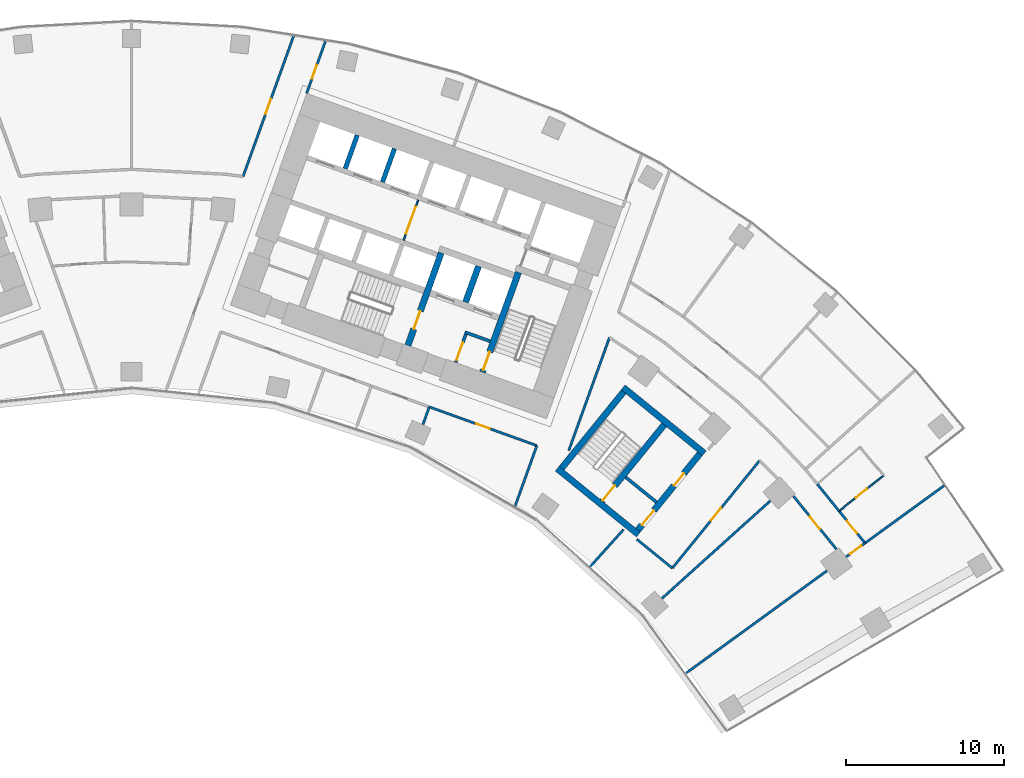
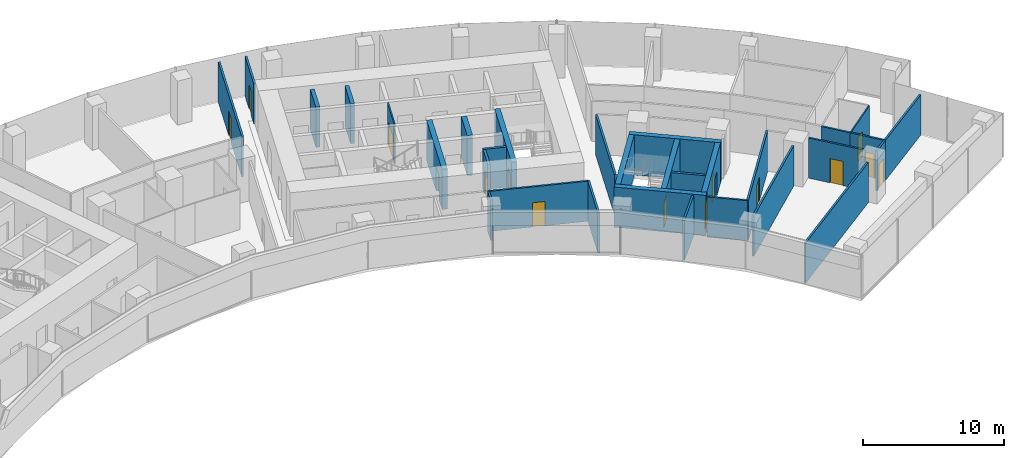
# One storey, part 15 of 19: 31 walls, 15 doors, 15 openings.
"""IFC4 building model written with IfcOpenShell, lengths in metres."""

from ifc_helpers import new_model, si_unit, direction, frame, frame_2d, origin, place, context, subcontext, project, spatial, rectangle, extrude, material, layer, layer_set, type_object, element, fill, save


model = new_model("IFC4")

# Units and contexts
model_context = context("Model", 3, precision=1e-05, world=origin(), true_north=direction((0.0, 1.0)))
body_context = subcontext(model_context, "Body", "Model", "MODEL_VIEW")
ifc_project = project(units=[si_unit("LENGTHUNIT", "METRE"), si_unit("AREAUNIT", "SQUARE_METRE"), si_unit("VOLUMEUNIT", "CUBIC_METRE"), si_unit("PLANEANGLEUNIT", "RADIAN"), si_unit("MASSUNIT", "GRAM", prefix="KILO")], contexts=[model_context])

# Site, building, storey
site_placement = place(None, origin())
site = spatial("IfcSite", under=ifc_project, at=site_placement, CompositionType="ELEMENT")
building_placement = place(site_placement, origin())
building = spatial("IfcBuilding", under=site, at=building_placement, Name="Stone Belt Terrace Tower", CompositionType="ELEMENT")
storey_placement = place(building_placement, frame((0.0, 0.0, 128.800048828125)))
storey = spatial("IfcBuildingStorey", under=building, at=storey_placement, Name="L31", CompositionType="ELEMENT", Elevation=128.800048828125)

# Wall, opening, door
ifc_material_1 = material(Name="Plasterboard partition")
ifc_layer_1 = layer(ifc_material_1, 0.10009765625)
ifc_layer_set_1 = layer_set([ifc_layer_1], Name="Core partition 100")
wall_type_1 = type_object("IfcWallType", Name="Core partition 100", PredefinedType="PARTITIONING", material=ifc_layer_set_1)
wall_1_placement = place(storey_placement, frame((17.17724609375, 52.749755859375, 0.0), z_axis=(0.0, 0.0, 1.0), x_axis=(0.338546555931, 0.940949642365, 0.0)))
wall_1 = element("IfcWall", 1, at=wall_1_placement, inside=storey, type_object=wall_type_1, Name="Core B wall", PredefinedType="PARTITIONING", context=body_context, shape_type="SweptSolid", body=[
    extrude(rectangle(XDim=2.699951171875, YDim=0.10009765625, at=frame_2d((1.35009765625, 0.0))), origin(), (0.0, 0.0, 1.0), 3.47998046875),
])
opening_1_placement = place(wall_1_placement, frame((0.449951171875, 0.0, 0.0)))
opening_1 = element("IfcOpeningElement", 2, at=opening_1_placement, cuts=wall_1, Name="Opening L31-C14", PredefinedType="OPENING", context=body_context, shape_type="SweptSolid", body=[
    extrude(rectangle(XDim=1.800048828125, YDim=2.10009765625, at=frame_2d((0.89990234375, 1.050048828125))), frame((0.0, 0.06005859375, 0.0), z_axis=(0.0, -1.0, 0.0), x_axis=(1.0, 0.0, 0.0)), (0.0, 0.0, 1.0), 0.1201171875),
])
ifc_material_2 = material(Name="Glazed aluminium door leaf", Category="aluminium")
door_type_1 = type_object("IfcDoorType", Name="Lift lobby entrance door 1800", OperationType="DOUBLE_DOOR_SINGLE_SWING", PredefinedType="DOOR", material=ifc_material_2)
door_1_placement = place(opening_1_placement, origin())
door_1 = element("IfcDoor", 3, at=door_1_placement, inside=storey, type_object=door_type_1, Name="Lift lobby double door core B", OperationType="DOUBLE_DOOR_SINGLE_SWING", OverallHeight=2.10009765625, OverallWidth=1.800048828125, PredefinedType="DOOR", context=body_context, shape_type="SweptSolid", body=[
    extrude(rectangle(XDim=1.800048828125, YDim=2.10009765625, at=frame_2d((0.89990234375, 1.050048828125))), frame((0.0, 0.02490234375, 0.0), z_axis=(0.0, -1.0, 0.0), x_axis=(1.0, 0.0, 0.0)), (0.0, 0.0, 1.0), 0.050048828125),
])
fill(opening_1, door_1)

# Walls
ifc_material_3 = material(Name="Concrete B80", Category="concrete")
ifc_layer_2 = layer(ifc_material_3, 0.39990234375)
ifc_layer_set_2 = layer_set([ifc_layer_2], Name="Fire-fighting lift shaft wall 400")
wall_type_2 = type_object("IfcWallType", Name="Fire-fighting lift shaft wall 400", PredefinedType="SHEAR", material=ifc_layer_set_2)
wall_2_placement = place(storey_placement, frame((21.0859375, 48.845458984375, 0.0), z_axis=(0.0, 0.0, 1.0), x_axis=(0.338629416206, 0.940919825745, 0.0)))
element("IfcWall", 4, at=wall_2_placement, inside=storey, type_object=wall_type_2, Name="Core B wall", PredefinedType="SHEAR", context=body_context, shape_type="SweptSolid", body=[
    extrude(rectangle(XDim=2.400146484375, YDim=0.39990234375, at=frame_2d((1.2001953125, 0.0))), origin(), (0.0, 0.0, 1.0), 3.47998046875),
])
ifc_layer_3 = layer(ifc_material_3, 0.300048828125)
ifc_layer_set_3 = layer_set([ifc_layer_3], Name="Lift shaft wall 300")
wall_type_3 = type_object("IfcWallType", Name="Lift shaft wall 300", PredefinedType="SHEAR", material=ifc_layer_set_3)
wall_3_placement = place(storey_placement, frame((15.8408203125, 56.419189453125, 0.0), z_axis=(0.0, 0.0, 1.0), x_axis=(0.338569601369, 0.940941350472, 0.0)))
element("IfcWall", 5, at=wall_3_placement, inside=storey, type_object=wall_type_3, Name="Core B wall", PredefinedType="SHEAR", context=body_context, shape_type="SweptSolid", body=[
    extrude(rectangle(XDim=2.249755859375, YDim=0.300048828125, at=frame_2d((1.125, 0.0))), origin(), (0.0, 0.0, 1.0), 3.47998046875),
])
wall_4_placement = place(storey_placement, frame((13.48828125, 57.265625, 0.0), z_axis=(0.0, 0.0, 1.0), x_axis=(0.338631098537, 0.940919220286, 0.0)))
element("IfcWall", 6, at=wall_4_placement, inside=storey, type_object=wall_type_3, Name="Core B wall", PredefinedType="SHEAR", context=body_context, shape_type="SweptSolid", body=[
    extrude(rectangle(XDim=2.250244140625, YDim=0.300048828125, at=frame_2d((1.125, 0.0))), origin(), (0.0, 0.0, 1.0), 3.47998046875),
])

# Wall, opening, door
ifc_material_4 = material(Name="Gypsum board partition")
ifc_layer_4 = layer(ifc_material_4, 0.10009765625)
ifc_layer_set_4 = layer_set([ifc_layer_4], Name="PARTITION 100")
wall_type_4 = type_object("IfcWallType", Name="PARTITION 100", PredefinedType="PARTITIONING", material=ifc_layer_set_4)
wall_5_placement = place(storey_placement, frame((44.657958984375, 35.658935546875, 0.0), z_axis=(0.0, 0.0, 1.0), x_axis=(0.781477418813, 0.623933525213, 0.0)))
wall_5 = element("IfcWall", 7, at=wall_5_placement, inside=storey, type_object=wall_type_4, Name="L31/wall/i074", PredefinedType="PARTITIONING", context=body_context, shape_type="SweptSolid", body=[
    extrude(rectangle(XDim=3.598388671875, YDim=0.10009765625, at=frame_2d((1.79931640625, 0.0))), origin(), (0.0, 0.0, 1.0), 3.47998046875),
])
opening_2_placement = place(wall_5_placement, frame((1.34912109375, 0.0, 0.0)))
opening_2 = element("IfcOpeningElement", 8, at=opening_2_placement, cuts=wall_5, Name="Opening D-B5-25", PredefinedType="OPENING", context=body_context, shape_type="SweptSolid", body=[
    extrude(rectangle(XDim=0.89990234375, YDim=2.10009765625, at=frame_2d((0.449951171875, 1.050048828125))), frame((0.0, 0.06005859375, 0.0), z_axis=(0.0, -1.0, 0.0), x_axis=(1.0, 0.0, 0.0)), (0.0, 0.0, 1.0), 0.1201171875),
])
ifc_material_5 = material(Name="Timber door leaf", Category="wood")
door_type_2 = type_object("IfcDoorType", Name="OFFICE DOOR 900 X 2100", OperationType="NOTDEFINED", PredefinedType="DOOR", material=ifc_material_5)
door_2_placement = place(opening_2_placement, origin())
door_2 = element("IfcDoor", 9, at=door_2_placement, inside=storey, type_object=door_type_2, Name="L31/door/i25", OperationType="SINGLE_SWING_RIGHT", OverallHeight=2.10009765625, OverallWidth=0.89990234375, PredefinedType="DOOR", context=body_context, shape_type="SweptSolid", body=[
    extrude(rectangle(XDim=0.89990234375, YDim=2.10009765625, at=frame_2d((0.449951171875, 1.050048828125))), frame((0.0, 0.02490234375, 0.0), z_axis=(0.0, -1.0, 0.0), x_axis=(1.0, 0.0, 0.0)), (0.0, 0.0, 1.0), 0.050048828125),
])
fill(opening_2, door_2)

ifc_layer_5 = layer(ifc_material_4, 0.14990234375)
ifc_layer_set_5 = layer_set([ifc_layer_5], Name="PARTITION 150 EI 60")
wall_type_5 = type_object("IfcWallType", Name="PARTITION 150 EI 60", PredefinedType="PARTITIONING", material=ifc_layer_set_5)
wall_6_placement = place(storey_placement, frame((12.23486328125, 65.297119140625, 0.0), z_axis=(0.0, 0.0, 1.0), x_axis=(-0.338853532575, -0.94083913793, 0.0)))
wall_6 = element("IfcWall", 10, at=wall_6_placement, inside=storey, type_object=wall_type_5, Name="L31/wall/i019", PredefinedType="PARTITIONING", context=body_context, shape_type="SweptSolid", body=[
    extrude(rectangle(XDim=3.482177734375, YDim=0.14990234375, at=frame_2d((1.7412109375, 0.0))), origin(), (0.0, 0.0, 1.0), 3.47998046875),
])
opening_3_placement = place(wall_6_placement, frame((1.58837890625, 0.0, 0.0)))
opening_3 = element("IfcOpeningElement", 11, at=opening_3_placement, cuts=wall_6, Name="Opening D-B5-10", PredefinedType="OPENING", context=body_context, shape_type="SweptSolid", body=[
    extrude(rectangle(XDim=0.89990234375, YDim=2.10009765625, at=frame_2d((0.449951171875, 1.050048828125))), frame((0.0, 0.0849609375, 0.0), z_axis=(0.0, -1.0, 0.0), x_axis=(1.0, 0.0, 0.0)), (0.0, 0.0, 1.0), 0.169921875),
])
door_3_placement = place(opening_3_placement, origin())
door_3 = element("IfcDoor", 12, at=door_3_placement, inside=storey, type_object=door_type_2, Name="L31/door/i10", OperationType="SINGLE_SWING_RIGHT", OverallHeight=2.10009765625, OverallWidth=0.89990234375, PredefinedType="DOOR", context=body_context, shape_type="SweptSolid", body=[
    extrude(rectangle(XDim=0.89990234375, YDim=2.10009765625, at=frame_2d((0.449951171875, 1.050048828125))), frame((0.0, 0.02490234375, 0.0), z_axis=(0.0, -1.0, 0.0), x_axis=(1.0, 0.0, 0.0)), (0.0, 0.0, 1.0), 0.050048828125),
])
fill(opening_3, door_3)

wall_7_placement = place(storey_placement, frame((7.0390625, 56.76708984375, 0.0), z_axis=(0.0, 0.0, 1.0), x_axis=(0.338637655092, 0.940916860596, 0.0)))
wall_7 = element("IfcWall", 13, at=wall_7_placement, inside=storey, type_object=wall_type_5, Name="L31/wall/i021", PredefinedType="PARTITIONING", context=body_context, shape_type="SweptSolid", body=[
    extrude(rectangle(XDim=9.40478515625, YDim=0.14990234375, at=frame_2d((4.702392578125, 0.0))), origin(), (0.0, 0.0, 1.0), 3.47998046875),
])
opening_4_placement = place(wall_7_placement, frame((4.202392578125, 0.0, 0.0)))
opening_4 = element("IfcOpeningElement", 14, at=opening_4_placement, cuts=wall_7, Name="Opening D-B5-30", PredefinedType="OPENING", context=body_context, shape_type="SweptSolid", body=[
    extrude(rectangle(XDim=1.0, YDim=2.10009765625, at=frame_2d((0.5, 1.050048828125))), frame((0.0, 0.0849609375, 0.0), z_axis=(0.0, -1.0, 0.0), x_axis=(1.0, 0.0, 0.0)), (0.0, 0.0, 1.0), 0.169921875),
])
ifc_material_6 = material(Name="Timber fire door leaf", Category="wood")
door_type_3 = type_object("IfcDoorType", Name="TENANCY ENTRANCE DOOR 1000 X 2100", OperationType="NOTDEFINED", PredefinedType="DOOR", material=ifc_material_6)
door_4_placement = place(opening_4_placement, origin())
door_4 = element("IfcDoor", 15, at=door_4_placement, inside=storey, type_object=door_type_3, Name="L31/door/i30", OperationType="SINGLE_SWING_RIGHT", OverallHeight=2.10009765625, OverallWidth=1.0, PredefinedType="DOOR", context=body_context, shape_type="SweptSolid", body=[
    extrude(rectangle(XDim=1.0, YDim=2.10009765625, at=frame_2d((0.5, 1.050048828125))), frame((0.0, 0.02490234375, 0.0), z_axis=(0.0, -1.0, 0.0), x_axis=(1.0, 0.0, 0.0)), (0.0, 0.0, 1.0), 0.050048828125),
])
fill(opening_4, door_4)

# Walls
wall_8_placement = place(storey_placement, frame((24.21240234375, 35.975341796875, 0.0), z_axis=(0.0, 0.0, 1.0), x_axis=(0.338542603355, 0.940951064463, 0.0)))
element("IfcWall", 16, at=wall_8_placement, inside=storey, type_object=wall_type_5, Name="L31/wall/i022", PredefinedType="PARTITIONING", context=body_context, shape_type="SweptSolid", body=[
    extrude(rectangle(XDim=4.05712890625, YDim=0.14990234375, at=frame_2d((2.028564453125, 0.0))), origin(), (0.0, 0.0, 1.0), 3.47998046875),
])
wall_9_placement = place(storey_placement, frame((30.1669921875, 46.612060546875, 0.0), z_axis=(0.0, 0.0, 1.0), x_axis=(-0.338694393991, -0.940896438233, 0.0)))
element("IfcWall", 17, at=wall_9_placement, inside=storey, type_object=wall_type_5, Name="L31/wall/i024", PredefinedType="PARTITIONING", context=body_context, shape_type="SweptSolid", body=[
    extrude(rectangle(XDim=7.585205078125, YDim=0.14990234375, at=frame_2d((3.79248046875, 0.0))), origin(), (0.0, 0.0, 1.0), 3.47998046875),
])
wall_10_placement = place(storey_placement, frame((31.054931640625, 34.489990234375, 0.0), z_axis=(0.0, 0.0, 1.0), x_axis=(-0.669118910745, -0.743155356089, 0.0)))
element("IfcWall", 18, at=wall_10_placement, inside=storey, type_object=wall_type_5, Name="L31/wall/i025", PredefinedType="PARTITIONING", context=body_context, shape_type="SweptSolid", body=[
    extrude(rectangle(XDim=3.149169921875, YDim=0.14990234375, at=frame_2d((1.57470703125, 0.0))), origin(), (0.0, 0.0, 1.0), 3.47998046875),
])

# Wall, opening, door
wall_11_placement = place(storey_placement, frame((25.583984375, 39.787109375, 0.0), z_axis=(0.0, 0.0, 1.0), x_axis=(-0.940903787311, 0.338673977482, 0.0)))
wall_11 = element("IfcWall", 19, at=wall_11_placement, inside=storey, type_object=wall_type_5, Name="L31/wall/i031", PredefinedType="PARTITIONING", context=body_context, shape_type="SweptSolid", body=[
    extrude(rectangle(XDim=7.2216796875, YDim=0.14990234375, at=frame_2d((3.61083984375, 0.0))), origin(), (0.0, 0.0, 1.0), 3.47998046875),
])
opening_5_placement = place(wall_11_placement, frame((3.160888671875, 0.0, 0.0)))
opening_5 = element("IfcOpeningElement", 20, at=opening_5_placement, cuts=wall_11, Name="Opening D-B5-09", PredefinedType="OPENING", context=body_context, shape_type="SweptSolid", body=[
    extrude(rectangle(XDim=0.89990234375, YDim=2.10009765625, at=frame_2d((0.449951171875, 1.050048828125))), frame((0.0, 0.0849609375, 0.0), z_axis=(0.0, -1.0, 0.0), x_axis=(1.0, 0.0, 0.0)), (0.0, 0.0, 1.0), 0.169921875),
])
door_5_placement = place(opening_5_placement, origin())
door_5 = element("IfcDoor", 21, at=door_5_placement, inside=storey, type_object=door_type_2, Name="L31/door/i09", OperationType="SINGLE_SWING_RIGHT", OverallHeight=2.10009765625, OverallWidth=0.89990234375, PredefinedType="DOOR", context=body_context, shape_type="SweptSolid", body=[
    extrude(rectangle(XDim=0.89990234375, YDim=2.10009765625, at=frame_2d((0.449951171875, 1.050048828125))), frame((0.0, 0.02490234375, 0.0), z_axis=(0.0, -1.0, 0.0), x_axis=(1.0, 0.0, 0.0)), (0.0, 0.0, 1.0), 0.050048828125),
])
fill(opening_5, door_5)

# Wall
wall_12_placement = place(storey_placement, frame((18.7939453125, 42.22998046875, 0.0), z_axis=(0.0, 0.0, 1.0), x_axis=(-0.338675376893, -0.940903283598, 0.0)))
element("IfcWall", 22, at=wall_12_placement, inside=storey, type_object=wall_type_5, Name="L31/wall/i034", PredefinedType="PARTITIONING", context=body_context, shape_type="SweptSolid", body=[
    extrude(rectangle(XDim=1.176513671875, YDim=0.14990234375, at=frame_2d((0.58837890625, 0.0))), origin(), (0.0, 0.0, 1.0), 3.47998046875),
])

# Wall, opening, door
wall_13_placement = place(storey_placement, frame((46.301025390625, 33.638916015625, 0.0), z_axis=(0.0, 0.0, 1.0), x_axis=(-0.809407972322, -0.587246740597, 0.0)))
wall_13 = element("IfcWall", 23, at=wall_13_placement, inside=storey, type_object=wall_type_5, Name="L31/wall/i044", PredefinedType="PARTITIONING", context=body_context, shape_type="SweptSolid", body=[
    extrude(rectangle(XDim=1.475830078125, YDim=0.14990234375, at=frame_2d((0.73779296875, 0.0))), origin(), (0.0, 0.0, 1.0), 3.47998046875),
])
opening_6_placement = place(wall_13_placement, frame((0.287841796875, 0.0, 0.0)))
opening_6 = element("IfcOpeningElement", 24, at=opening_6_placement, cuts=wall_13, Name="Opening D-B5-16", PredefinedType="OPENING", context=body_context, shape_type="SweptSolid", body=[
    extrude(rectangle(XDim=0.89990234375, YDim=2.10009765625, at=frame_2d((0.449951171875, 1.050048828125))), frame((0.0, 0.0849609375, 0.0), z_axis=(0.0, -1.0, 0.0), x_axis=(1.0, 0.0, 0.0)), (0.0, 0.0, 1.0), 0.169921875),
])
door_type_4 = type_object("IfcDoorType", Name="TENANCY ENTRANCE DOOR 900 X 2100", OperationType="NOTDEFINED", PredefinedType="DOOR", material=ifc_material_6)
door_6_placement = place(opening_6_placement, origin())
door_6 = element("IfcDoor", 25, at=door_6_placement, inside=storey, type_object=door_type_4, Name="L31/door/i16", OperationType="SINGLE_SWING_RIGHT", OverallHeight=2.10009765625, OverallWidth=0.89990234375, PredefinedType="DOOR", context=body_context, shape_type="SweptSolid", body=[
    extrude(rectangle(XDim=0.89990234375, YDim=2.10009765625, at=frame_2d((0.449951171875, 1.050048828125))), frame((0.0, 0.02490234375, 0.0), z_axis=(0.0, -1.0, 0.0), x_axis=(1.0, 0.0, 0.0)), (0.0, 0.0, 1.0), 0.050048828125),
])
fill(opening_6, door_6)

# Walls
wall_14_placement = place(storey_placement, frame((35.006103515625, 25.43310546875, 0.0), z_axis=(0.0, 0.0, 1.0), x_axis=(0.809031292707, 0.587765571823, 0.0)))
element("IfcWall", 26, at=wall_14_placement, inside=storey, type_object=wall_type_5, Name="L31/wall/i045", PredefinedType="PARTITIONING", context=body_context, shape_type="SweptSolid", body=[
    extrude(rectangle(XDim=10.975341796875, YDim=0.14990234375, at=frame_2d((5.48779296875, 0.0))), origin(), (0.0, 0.0, 1.0), 3.47998046875),
])
wall_15_placement = place(storey_placement, frame((46.291015625, 33.632080078125, 0.0), z_axis=(0.0, 0.0, 1.0), x_axis=(0.809007988274, 0.587797647927, 0.0)))
element("IfcWall", 27, at=wall_15_placement, inside=storey, type_object=wall_type_5, Name="L31/wall/i046", PredefinedType="PARTITIONING", context=body_context, shape_type="SweptSolid", body=[
    extrude(rectangle(XDim=6.171630859375, YDim=0.14990234375, at=frame_2d((3.0859375, 0.0))), origin(), (0.0, 0.0, 1.0), 3.47998046875),
])

# Wall, opening, door
wall_16_placement = place(storey_placement, frame((44.485107421875, 33.253662109375, 0.0), z_axis=(0.0, 0.0, 1.0), x_axis=(-0.629214542808, 0.777231663739, 0.0)))
wall_16 = element("IfcWall", 28, at=wall_16_placement, inside=storey, type_object=wall_type_5, Name="L31/wall/i053", PredefinedType="PARTITIONING", context=body_context, shape_type="SweptSolid", body=[
    extrude(rectangle(XDim=4.304931640625, YDim=0.14990234375, at=frame_2d((2.15234375, 0.0))), origin(), (0.0, 0.0, 1.0), 3.47998046875),
])
opening_7_placement = place(wall_16_placement, frame((1.652587890625, 0.0, 0.0)))
opening_7 = element("IfcOpeningElement", 29, at=opening_7_placement, cuts=wall_16, Name="Opening D-B5-19", PredefinedType="OPENING", context=body_context, shape_type="SweptSolid", body=[
    extrude(rectangle(XDim=1.0, YDim=2.10009765625, at=frame_2d((0.5, 1.050048828125))), frame((0.0, 0.0849609375, 0.0), z_axis=(0.0, -1.0, 0.0), x_axis=(1.0, 0.0, 0.0)), (0.0, 0.0, 1.0), 0.169921875),
])
door_7_placement = place(opening_7_placement, origin())
door_7 = element("IfcDoor", 30, at=door_7_placement, inside=storey, type_object=door_type_3, Name="L31/door/i19", OperationType="SINGLE_SWING_RIGHT", OverallHeight=2.10009765625, OverallWidth=1.0, PredefinedType="DOOR", context=body_context, shape_type="SweptSolid", body=[
    extrude(rectangle(XDim=1.0, YDim=2.10009765625, at=frame_2d((0.5, 1.050048828125))), frame((0.0, 0.02490234375, 0.0), z_axis=(0.0, -1.0, 0.0), x_axis=(1.0, 0.0, 0.0)), (0.0, 0.0, 1.0), 0.050048828125),
])
fill(opening_7, door_7)

wall_17_placement = place(storey_placement, frame((44.654052734375, 35.6630859375, 0.0), z_axis=(0.0, 0.0, 1.0), x_axis=(0.629397440797, -0.777083561477, 0.0)))
wall_17 = element("IfcWall", 31, at=wall_17_placement, inside=storey, type_object=wall_type_5, Name="L31/wall/i056", PredefinedType="PARTITIONING", context=body_context, shape_type="SweptSolid", body=[
    extrude(rectangle(XDim=2.608642578125, YDim=0.14990234375, at=frame_2d((1.30419921875, 0.0))), origin(), (0.0, 0.0, 1.0), 3.47998046875),
])
opening_8_placement = place(wall_17_placement, frame((0.80419921875, 0.0, 0.0)))
opening_8 = element("IfcOpeningElement", 32, at=opening_8_placement, cuts=wall_17, Name="Opening D-B5-24", PredefinedType="OPENING", context=body_context, shape_type="SweptSolid", body=[
    extrude(rectangle(XDim=1.0, YDim=2.10009765625, at=frame_2d((0.5, 1.050048828125))), frame((0.0, 0.0849609375, 0.0), z_axis=(0.0, -1.0, 0.0), x_axis=(1.0, 0.0, 0.0)), (0.0, 0.0, 1.0), 0.169921875),
])
door_8_placement = place(opening_8_placement, origin())
door_8 = element("IfcDoor", 33, at=door_8_placement, inside=storey, type_object=door_type_3, Name="L31/door/i24", OperationType="SINGLE_SWING_RIGHT", OverallHeight=2.10009765625, OverallWidth=1.0, PredefinedType="DOOR", context=body_context, shape_type="SweptSolid", body=[
    extrude(rectangle(XDim=1.0, YDim=2.10009765625, at=frame_2d((0.5, 1.050048828125))), frame((0.0, 0.02490234375, 0.0), z_axis=(0.0, -1.0, 0.0), x_axis=(1.0, 0.0, 0.0)), (0.0, 0.0, 1.0), 0.050048828125),
])
fill(opening_8, door_8)

# Wall
wall_18_placement = place(storey_placement, frame((43.27392578125, 37.366943359375, 0.0), z_axis=(0.0, 0.0, 1.0), x_axis=(0.629290634634, -0.777170056784, 0.0)))
element("IfcWall", 34, at=wall_18_placement, inside=storey, type_object=wall_type_5, Name="L31/wall/i057", PredefinedType="PARTITIONING", context=body_context, shape_type="SweptSolid", body=[
    extrude(rectangle(XDim=2.2041015625, YDim=0.14990234375, at=frame_2d((1.10205078125, 0.0))), origin(), (0.0, 0.0, 1.0), 3.47998046875),
])

# Wall, opening, door
wall_19_placement = place(storey_placement, frame((39.64599609375, 38.84912109375, 0.0), z_axis=(0.0, 0.0, 1.0), x_axis=(-0.630141823003, -0.776480059566, 0.0)))
wall_19 = element("IfcWall", 35, at=wall_19_placement, inside=storey, type_object=wall_type_5, Name="L31/wall/i059", PredefinedType="PARTITIONING", context=body_context, shape_type="SweptSolid", body=[
    extrude(rectangle(XDim=8.748779296875, YDim=0.14990234375, at=frame_2d((4.37451171875, 0.0))), origin(), (0.0, 0.0, 1.0), 3.47998046875),
])
opening_9_placement = place(wall_19_placement, frame((3.874267578125, 0.0, 0.0)))
opening_9 = element("IfcOpeningElement", 36, at=opening_9_placement, cuts=wall_19, Name="Opening D-B5-18", PredefinedType="OPENING", context=body_context, shape_type="SweptSolid", body=[
    extrude(rectangle(XDim=1.0, YDim=2.10009765625, at=frame_2d((0.5, 1.050048828125))), frame((0.0, 0.0849609375, 0.0), z_axis=(0.0, -1.0, 0.0), x_axis=(1.0, 0.0, 0.0)), (0.0, 0.0, 1.0), 0.169921875),
])
door_9_placement = place(opening_9_placement, origin())
door_9 = element("IfcDoor", 37, at=door_9_placement, inside=storey, type_object=door_type_3, Name="L31/door/i18", OperationType="SINGLE_SWING_RIGHT", OverallHeight=2.10009765625, OverallWidth=1.0, PredefinedType="DOOR", context=body_context, shape_type="SweptSolid", body=[
    extrude(rectangle(XDim=1.0, YDim=2.10009765625, at=frame_2d((0.5, 1.050048828125))), frame((0.0, 0.02490234375, 0.0), z_axis=(0.0, -1.0, 0.0), x_axis=(1.0, 0.0, 0.0)), (0.0, 0.0, 1.0), 0.050048828125),
])
fill(opening_9, door_9)

# Walls
wall_20_placement = place(storey_placement, frame((34.133056640625, 32.055908203125, 0.0), z_axis=(0.0, 0.0, 1.0), x_axis=(-0.776369956068, 0.630277471686, 0.0)))
element("IfcWall", 38, at=wall_20_placement, inside=storey, type_object=wall_type_5, Name="L31/wall/i060", PredefinedType="PARTITIONING", context=body_context, shape_type="SweptSolid", body=[
    extrude(rectangle(XDim=2.8876953125, YDim=0.14990234375, at=frame_2d((1.44384765625, 0.0))), origin(), (0.0, 0.0, 1.0), 3.47998046875),
])
wall_21_placement = place(storey_placement, frame((40.311767578125, 36.297119140625, 0.0), z_axis=(0.0, 0.0, 1.0), x_axis=(-0.74312513137, -0.669152478233, 0.0)))
element("IfcWall", 39, at=wall_21_placement, inside=storey, type_object=wall_type_5, Name="L31/wall/i061", PredefinedType="PARTITIONING", context=body_context, shape_type="SweptSolid", body=[
    extrude(rectangle(XDim=9.195068359375, YDim=0.14990234375, at=frame_2d((4.59765625, 0.0))), origin(), (0.0, 0.0, 1.0), 3.47998046875),
])
ifc_material_7 = material(Name="Concrete masonry block", Category="masonry")
ifc_layer_6 = layer(ifc_material_7, 0.199951171875)
ifc_layer_set_6 = layer_set([ifc_layer_6], Name="Rated lobby wall 200")
wall_type_6 = type_object("IfcWallType", Name="Rated lobby wall 200", PredefinedType="PARTITIONING", material=ifc_layer_set_6)
wall_22_placement = place(storey_placement, frame((22.640625, 46.373046875, 0.0), z_axis=(0.0, 0.0, 1.0), x_axis=(-0.940966110313, 0.338500781747, 0.0)))
element("IfcWall", 40, at=wall_22_placement, inside=storey, type_object=wall_type_6, Name="Core B wall", PredefinedType="PARTITIONING", context=body_context, shape_type="SweptSolid", body=[
    extrude(rectangle(XDim=1.699951171875, YDim=0.199951171875, at=frame_2d((0.85009765625, 0.0))), origin(), (0.0, 0.0, 1.0), 3.47998046875),
])

# Wall, opening, door
wall_23_placement = place(storey_placement, frame((20.4580078125, 45.032958984375, 0.0), z_axis=(0.0, 0.0, 1.0), x_axis=(0.338573865316, 0.940939816208, 0.0)))
wall_23 = element("IfcWall", 41, at=wall_23_placement, inside=storey, type_object=wall_type_6, Name="Core B wall", PredefinedType="PARTITIONING", context=body_context, shape_type="SweptSolid", body=[
    extrude(rectangle(XDim=1.900146484375, YDim=0.199951171875, at=frame_2d((0.9501953125, 0.0))), origin(), (0.0, 0.0, 1.0), 3.47998046875),
])
opening_10_placement = place(wall_23_placement, frame((0.14990234375, 0.0, 0.0)))
opening_10 = element("IfcOpeningElement", 42, at=opening_10_placement, cuts=wall_23, Name="Opening L31-C17", PredefinedType="OPENING", context=body_context, shape_type="SweptSolid", body=[
    extrude(rectangle(XDim=1.199951171875, YDim=2.10009765625, at=frame_2d((0.60009765625, 1.050048828125))), frame((0.0, 0.10986328125, 0.0), z_axis=(0.0, -1.0, 0.0), x_axis=(1.0, 0.0, 0.0)), (0.0, 0.0, 1.0), 0.219970703125),
])
ifc_material_8 = material(Name="Steel door leaf", Category="steel")
door_type_5 = type_object("IfcDoorType", Name="Stair door 1200", OperationType="SINGLE_SWING_LEFT", PredefinedType="DOOR", material=ifc_material_8)
door_10_placement = place(opening_10_placement, origin())
door_10 = element("IfcDoor", 43, at=door_10_placement, inside=storey, type_object=door_type_5, Name="Stair airlock door core B", OperationType="SINGLE_SWING_RIGHT", OverallHeight=2.10009765625, OverallWidth=1.199951171875, PredefinedType="DOOR", context=body_context, shape_type="SweptSolid", body=[
    extrude(rectangle(XDim=1.199951171875, YDim=2.10009765625, at=frame_2d((0.60009765625, 1.050048828125))), frame((0.0, 0.02490234375, 0.0), z_axis=(0.0, -1.0, 0.0), x_axis=(1.0, 0.0, 0.0)), (0.0, 0.0, 1.0), 0.050048828125),
])
fill(opening_10, door_10)

# Wall
wall_24_placement = place(storey_placement, frame((31.190673828125, 37.79296875, 0.0), z_axis=(0.0, 0.0, 1.0), x_axis=(0.776370830301, -0.630276394813, 0.0)))
element("IfcWall", 44, at=wall_24_placement, inside=storey, type_object=wall_type_6, Name="Exit stair ST3B wall", PredefinedType="PARTITIONING", context=body_context, shape_type="SweptSolid", body=[
    extrude(rectangle(XDim=2.5, YDim=0.199951171875, at=frame_2d((1.25, 0.0))), origin(), (0.0, 0.0, 1.0), 3.47998046875),
])

# Wall, opening, door
ifc_layer_7 = layer(ifc_material_3, 0.39990234375)
ifc_layer_set_7 = layer_set([ifc_layer_7], Name="Stair enclosure wall 400")
wall_type_7 = type_object("IfcWallType", Name="Stair enclosure wall 400", PredefinedType="SHEAR", material=ifc_layer_set_7)
wall_25_placement = place(storey_placement, frame((22.151611328125, 44.42333984375, 0.0), z_axis=(0.0, 0.0, 1.0), x_axis=(0.338625272931, 0.940921316866, 0.0)))
wall_25 = element("IfcWall", 45, at=wall_25_placement, inside=storey, type_object=wall_type_7, Name="Core B wall", PredefinedType="SHEAR", context=body_context, shape_type="SweptSolid", body=[
    extrude(rectangle(XDim=6.699951171875, YDim=0.39990234375, at=frame_2d((3.35009765625, 0.0))), origin(), (0.0, 0.0, 1.0), 3.47998046875),
])
opening_11_placement = place(wall_25_placement, frame((0.14990234375, 0.0, 0.0)))
opening_11 = element("IfcOpeningElement", 46, at=opening_11_placement, cuts=wall_25, Name="Opening L31-C16", PredefinedType="OPENING", context=body_context, shape_type="SweptSolid", body=[
    extrude(rectangle(XDim=1.199951171875, YDim=2.10009765625, at=frame_2d((0.60009765625, 1.050048828125))), frame((0.0, 0.2099609375, 0.0), z_axis=(0.0, -1.0, 0.0), x_axis=(1.0, 0.0, 0.0)), (0.0, 0.0, 1.0), 0.419921875),
])
door_11_placement = place(opening_11_placement, origin())
door_11 = element("IfcDoor", 47, at=door_11_placement, inside=storey, type_object=door_type_5, Name="Stair 1 door core B", OperationType="SINGLE_SWING_RIGHT", OverallHeight=2.10009765625, OverallWidth=1.199951171875, PredefinedType="DOOR", context=body_context, shape_type="SweptSolid", body=[
    extrude(rectangle(XDim=1.199951171875, YDim=2.10009765625, at=frame_2d((0.60009765625, 1.050048828125))), frame((0.0, 0.02490234375, 0.0), z_axis=(0.0, -1.0, 0.0), x_axis=(1.0, 0.0, 0.0)), (0.0, 0.0, 1.0), 0.050048828125),
])
fill(opening_11, door_11)

wall_26_placement = place(storey_placement, frame((17.447021484375, 46.116455078125, 0.0), z_axis=(0.0, 0.0, 1.0), x_axis=(0.33860791464, 0.940927563707, 0.0)))
wall_26 = element("IfcWall", 48, at=wall_26_placement, inside=storey, type_object=wall_type_7, Name="Core B wall", PredefinedType="SHEAR", context=body_context, shape_type="SweptSolid", body=[
    extrude(rectangle(XDim=6.199951171875, YDim=0.39990234375, at=frame_2d((3.10009765625, 0.0))), origin(), (0.0, 0.0, 1.0), 3.47998046875),
])
opening_12_placement = place(wall_26_placement, frame((1.10009765625, 0.0, 0.0)))
opening_12 = element("IfcOpeningElement", 49, at=opening_12_placement, cuts=wall_26, Name="Opening L31-C19", PredefinedType="OPENING", context=body_context, shape_type="SweptSolid", body=[
    extrude(rectangle(XDim=1.199951171875, YDim=2.10009765625, at=frame_2d((0.60009765625, 1.050048828125))), frame((0.0, 0.2099609375, 0.0), z_axis=(0.0, -1.0, 0.0), x_axis=(1.0, 0.0, 0.0)), (0.0, 0.0, 1.0), 0.419921875),
])
door_12_placement = place(opening_12_placement, origin())
door_12 = element("IfcDoor", 50, at=door_12_placement, inside=storey, type_object=door_type_5, Name="Stair 2 door core B", OperationType="SINGLE_SWING_RIGHT", OverallHeight=2.10009765625, OverallWidth=1.199951171875, PredefinedType="DOOR", context=body_context, shape_type="SweptSolid", body=[
    extrude(rectangle(XDim=1.199951171875, YDim=2.10009765625, at=frame_2d((0.60009765625, 1.050048828125))), frame((0.0, 0.02490234375, 0.0), z_axis=(0.0, -1.0, 0.0), x_axis=(1.0, 0.0, 0.0)), (0.0, 0.0, 1.0), 0.050048828125),
])
fill(opening_12, door_12)

# Walls
wall_27_placement = place(storey_placement, frame((26.868408203125, 38.3388671875, 0.0), z_axis=(0.0, 0.0, 1.0), x_axis=(0.776428452498, -0.630205409491, 0.0)))
element("IfcWall", 51, at=wall_27_placement, inside=storey, type_object=wall_type_7, Name="Exit stair ST3B wall", PredefinedType="SHEAR", context=body_context, shape_type="SweptSolid", body=[
    extrude(rectangle(XDim=6.60009765625, YDim=0.39990234375, at=frame_2d((3.300048828125, 0.0))), origin(), (0.0, 0.0, 1.0), 3.47998046875),
])
wall_28_placement = place(storey_placement, frame((31.02783203125, 43.46337890625, 0.0), z_axis=(0.0, 0.0, 1.0), x_axis=(0.776413760801, -0.630223509589, 0.0)))
element("IfcWall", 52, at=wall_28_placement, inside=storey, type_object=wall_type_7, Name="Exit stair ST3B wall", PredefinedType="SHEAR", context=body_context, shape_type="SweptSolid", body=[
    extrude(rectangle(XDim=6.599853515625, YDim=0.39990234375, at=frame_2d((3.2998046875, 0.0))), origin(), (0.0, 0.0, 1.0), 3.47998046875),
])
wall_29_placement = place(storey_placement, frame((27.149658203125, 38.3681640625, 0.0), z_axis=(0.0, 0.0, 1.0), x_axis=(0.630211551729, 0.776423466973, 0.0)))
element("IfcWall", 53, at=wall_29_placement, inside=storey, type_object=wall_type_7, Name="Exit stair ST3B wall", PredefinedType="SHEAR", context=body_context, shape_type="SweptSolid", body=[
    extrude(rectangle(XDim=6.199951171875, YDim=0.39990234375, at=frame_2d((3.10009765625, 0.0))), origin(), (0.0, 0.0, 1.0), 3.47998046875),
])

# Wall, openings, doors
wall_30_placement = place(storey_placement, frame((31.963623046875, 34.460693359375, 0.0), z_axis=(0.0, 0.0, 1.0), x_axis=(0.630192283849, 0.776439106033, 0.0)))
wall_30 = element("IfcWall", 54, at=wall_30_placement, inside=storey, type_object=wall_type_7, Name="Exit stair ST3B wall", PredefinedType="SHEAR", context=body_context, shape_type="SweptSolid", body=[
    extrude(rectangle(XDim=6.199951171875, YDim=0.39990234375, at=frame_2d((3.10009765625, 0.0))), origin(), (0.0, 0.0, 1.0), 3.47998046875),
])
opening_13_placement = place(wall_30_placement, frame((0.39990234375, 0.0, 0.0)))
opening_13 = element("IfcOpeningElement", 55, at=opening_13_placement, cuts=wall_30, Name="Opening L31-C27", PredefinedType="OPENING", context=body_context, shape_type="SweptSolid", body=[
    extrude(rectangle(XDim=1.199951171875, YDim=2.10009765625, at=frame_2d((0.60009765625, 1.050048828125))), frame((0.0, 0.2099609375, 0.0), z_axis=(0.0, -1.0, 0.0), x_axis=(1.0, 0.0, 0.0)), (0.0, 0.0, 1.0), 0.419921875),
])
opening_14_placement = place(wall_30_placement, frame((3.60009765625, 0.0, 0.0)))
opening_14 = element("IfcOpeningElement", 56, at=opening_14_placement, cuts=wall_30, Name="Opening L31-C28", PredefinedType="OPENING", context=body_context, shape_type="SweptSolid", body=[
    extrude(rectangle(XDim=1.0, YDim=2.10009765625, at=frame_2d((0.5, 1.050048828125))), frame((0.0, 0.2099609375, 0.0), z_axis=(0.0, -1.0, 0.0), x_axis=(1.0, 0.0, 0.0)), (0.0, 0.0, 1.0), 0.419921875),
])
door_type_6 = type_object("IfcDoorType", Name="Core room door 1000", OperationType="SINGLE_SWING_LEFT", PredefinedType="DOOR", material=ifc_material_5)
door_13_placement = place(opening_14_placement, origin())
door_13 = element("IfcDoor", 57, at=door_13_placement, inside=storey, type_object=door_type_6, Name="Door to stair pressurisation plant room ST3B", OperationType="SINGLE_SWING_LEFT", OverallHeight=2.10009765625, OverallWidth=1.0, PredefinedType="DOOR", context=body_context, shape_type="SweptSolid", body=[
    extrude(rectangle(XDim=1.0, YDim=2.10009765625, at=frame_2d((0.5, 1.050048828125))), frame((0.0, 0.02490234375, 0.0), z_axis=(0.0, -1.0, 0.0), x_axis=(1.0, 0.0, 0.0)), (0.0, 0.0, 1.0), 0.050048828125),
])
fill(opening_14, door_13)
door_type_7 = type_object("IfcDoorType", Name="Stair airlock door 1200", OperationType="SINGLE_SWING_LEFT", PredefinedType="DOOR", material=ifc_material_8)
door_14_placement = place(opening_13_placement, origin())
door_14 = element("IfcDoor", 58, at=door_14_placement, inside=storey, type_object=door_type_7, Name="Stair airlock door ST3B", OperationType="SINGLE_SWING_LEFT", OverallHeight=2.10009765625, OverallWidth=1.199951171875, PredefinedType="DOOR", context=body_context, shape_type="SweptSolid", body=[
    extrude(rectangle(XDim=1.199951171875, YDim=2.10009765625, at=frame_2d((0.60009765625, 1.050048828125))), frame((0.0, 0.02490234375, 0.0), z_axis=(0.0, -1.0, 0.0), x_axis=(1.0, 0.0, 0.0)), (0.0, 0.0, 1.0), 0.050048828125),
])
fill(opening_13, door_14)

# Wall, opening, door
wall_31_placement = place(storey_placement, frame((29.7119140625, 36.288330078125, 0.0), z_axis=(0.0, 0.0, 1.0), x_axis=(0.630192283849, 0.776439106033, 0.0)))
wall_31 = element("IfcWall", 59, at=wall_31_placement, inside=storey, type_object=wall_type_7, Name="Exit stair ST3B wall", PredefinedType="SHEAR", context=body_context, shape_type="SweptSolid", body=[
    extrude(rectangle(XDim=6.199951171875, YDim=0.39990234375, at=frame_2d((3.10009765625, 0.0))), origin(), (0.0, 0.0, 1.0), 3.47998046875),
])
opening_15_placement = place(wall_31_placement, frame((0.050048828125, 0.0, 0.0)))
opening_15 = element("IfcOpeningElement", 60, at=opening_15_placement, cuts=wall_31, Name="Opening L31-C26", PredefinedType="OPENING", context=body_context, shape_type="SweptSolid", body=[
    extrude(rectangle(XDim=1.199951171875, YDim=2.10009765625, at=frame_2d((0.60009765625, 1.050048828125))), frame((0.0, 0.2099609375, 0.0), z_axis=(0.0, -1.0, 0.0), x_axis=(1.0, 0.0, 0.0)), (0.0, 0.0, 1.0), 0.419921875),
])
door_15_placement = place(opening_15_placement, origin())
door_15 = element("IfcDoor", 61, at=door_15_placement, inside=storey, type_object=door_type_5, Name="Stair door ST3B", OperationType="SINGLE_SWING_RIGHT", OverallHeight=2.10009765625, OverallWidth=1.199951171875, PredefinedType="DOOR", context=body_context, shape_type="SweptSolid", body=[
    extrude(rectangle(XDim=1.199951171875, YDim=2.10009765625, at=frame_2d((0.60009765625, 1.050048828125))), frame((0.0, 0.02490234375, 0.0), z_axis=(0.0, -1.0, 0.0), x_axis=(1.0, 0.0, 0.0)), (0.0, 0.0, 1.0), 0.050048828125),
])
fill(opening_15, door_15)

save(model, "model.ifc")
